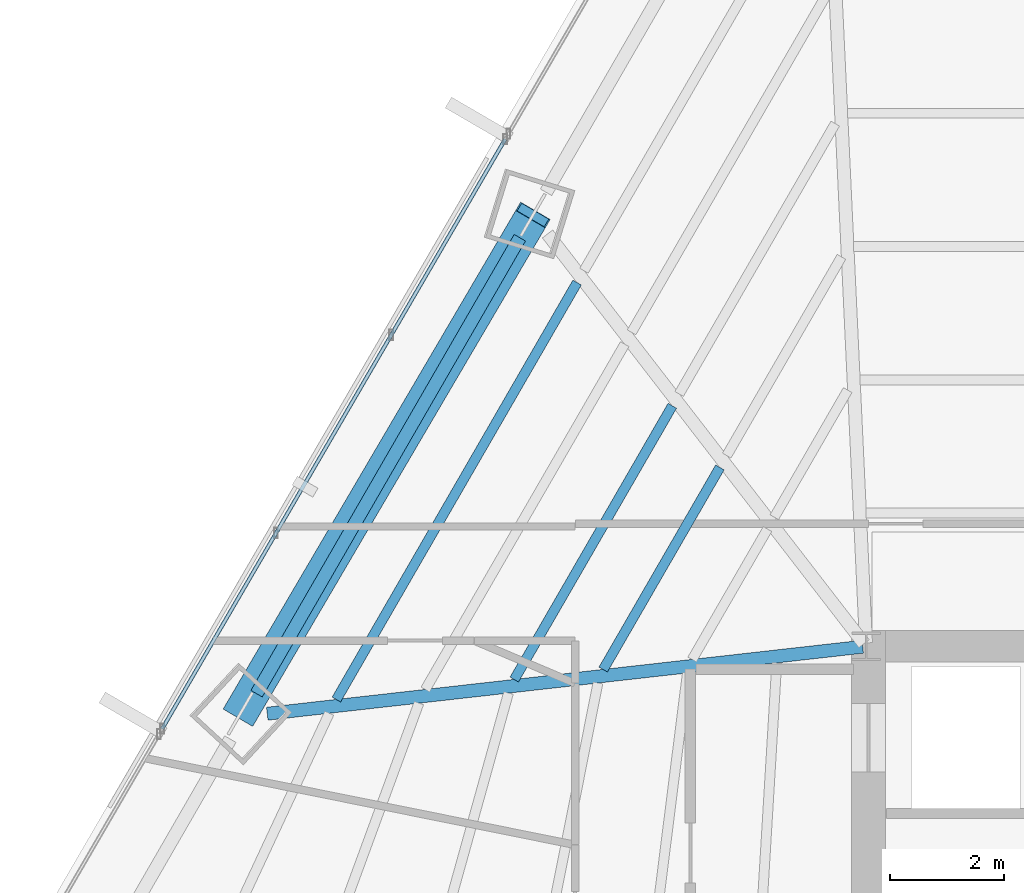
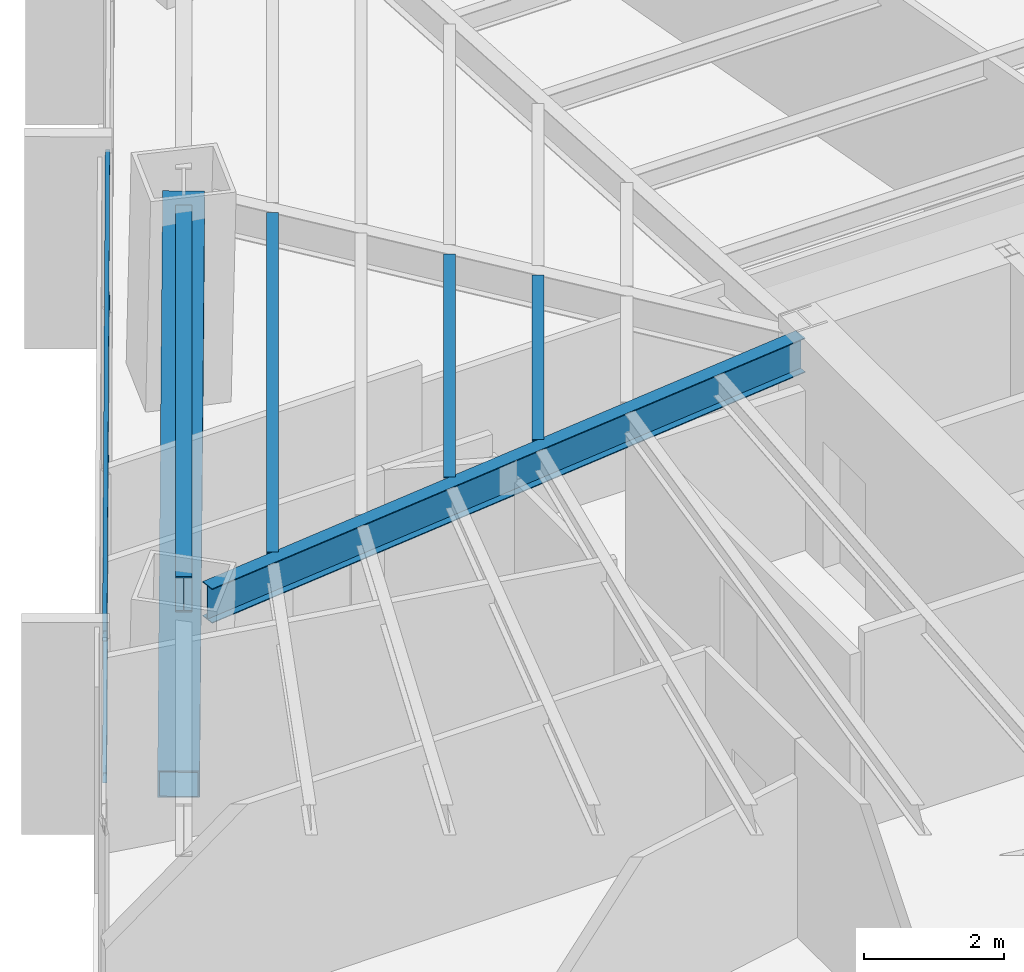
# One storey, part 13 of 38: 5 beams, 3 members, 1 element without a shape of its own.
"""IFC4 building model written with IfcOpenShell, lengths in metres."""

from ifc_helpers import new_model, si_unit, direction, frame, origin, origin_2d, place, context, subcontext, project, spatial, hollow_rectangle, i_section, extrude, source, transform, mapped, material, material_profile, profile_set, type_object, type_shapes, element, aggregate, save


model = new_model("IFC4")

# Units and contexts
model_context = context("Model", 3, precision=1e-05, world=origin(), true_north=direction((0.0, 1.0)))
body_context = subcontext(model_context, "Body", "Model", "MODEL_VIEW")
ifc_project = project(units=[si_unit("LENGTHUNIT", "METRE"), si_unit("AREAUNIT", "SQUARE_METRE"), si_unit("VOLUMEUNIT", "CUBIC_METRE"), si_unit("PLANEANGLEUNIT", "RADIAN"), si_unit("MASSUNIT", "GRAM", prefix="KILO")], contexts=[model_context])

# Site, building, storey
site_placement = place(None, origin())
site = spatial("IfcSite", under=ifc_project, at=site_placement, CompositionType="ELEMENT")
building_placement = place(site_placement, origin())
building = spatial("IfcBuilding", under=site, at=building_placement, Name="Caelisora Broadcast Tower", CompositionType="ELEMENT")
storey_placement = place(building_placement, frame((0.0, 0.0, 67.75)))
storey = spatial("IfcBuildingStorey", under=building, at=storey_placement, Name="L17", CompositionType="ELEMENT", Elevation=67.75)

# Beams
ifc_material_1 = material(Name="Steel Grade 350 (AS/NZS 3679.1)", Category="steel")
ifc_material_profile_1 = material_profile(ifc_material_1, i_section(OverallWidth=0.22900390625, OverallDepth=0.611572265625, WebThickness=0.011962890625, FlangeThickness=0.01953125, at=origin_2d()), Name="Steel Grade 350 (AS/NZS 3679.1)")
ifc_profile_set_1 = profile_set([ifc_material_profile_1], Name="Steel Grade 350 (AS/NZS 3679.1)")
beam_type_1 = type_object("IfcBeamType", Name="PG03", PredefinedType="BEAM", material=ifc_profile_set_1)
shared_shape_1 = source(origin(), body_context, "Body", "SweptSolid", [
    extrude(i_section(OverallWidth=0.22900390625, OverallDepth=0.611572265625, WebThickness=0.011962890625, FlangeThickness=0.01953125, at=origin_2d()), origin(), (0.0, 0.0, 1.0), 9.22802734375),
])
type_shapes(beam_type_1, [shared_shape_1])
beam_1_placement = place(storey_placement, frame((24.4306640625, 37.162109375, 3.09423828125), z_axis=(-0.500000323199, -0.866025217185, 0.0), x_axis=(0.866025217185, -0.500000323199, 0.0)))
element("IfcBeam", 1, at=beam_1_placement, inside=storey, type_object=beam_type_1, Name="L17 beam PG03", PredefinedType="BEAM", context=body_context, shape_type="MappedRepresentation", body=[
    mapped(shared_shape_1, transform((0.0, 0.0, 0.0), scale=1.0)),
])
ifc_material_profile_2 = material_profile(ifc_material_1, i_section(OverallWidth=0.22802734375, OverallDepth=0.602294921875, WebThickness=0.010498046875, FlangeThickness=0.014892578125, at=origin_2d()), Name="Steel Grade 350 (AS/NZS 3679.1)")
ifc_profile_set_2 = profile_set([ifc_material_profile_2], Name="Steel Grade 350 (AS/NZS 3679.1)")
beam_type_2 = type_object("IfcBeamType", Name="PG04", PredefinedType="BEAM", material=ifc_profile_set_2)
shared_shape_2 = source(origin(), body_context, "Body", "SweptSolid", [
    extrude(i_section(OverallWidth=0.22802734375, OverallDepth=0.602294921875, WebThickness=0.010498046875, FlangeThickness=0.014892578125, at=origin_2d()), origin(), (0.0, 0.0, 1.0), 10.50244140625),
])
type_shapes(beam_type_2, [shared_shape_2])
beam_2_placement = place(storey_placement, frame((30.4404296875, 29.993408203125, 3.098876953125), z_axis=(-0.993726537613, -0.111837240864, 0.0), x_axis=(0.111837240864, -0.993726537613, 0.0)))
element("IfcBeam", 2, at=beam_2_placement, inside=storey, type_object=beam_type_2, Name="L17 beam PG04", PredefinedType="BEAM", context=body_context, shape_type="MappedRepresentation", body=[
    mapped(shared_shape_2, transform((0.0, 0.0, 0.0), scale=1.0)),
])
ifc_material_profile_3 = material_profile(ifc_material_1, i_section(OverallWidth=0.172119140625, OverallDepth=0.358642578125, WebThickness=0.008056640625, FlangeThickness=0.012939453125, at=origin_2d()), Name="Steel Grade 350 (AS/NZS 3679.1)")
ifc_profile_set_3 = profile_set([ifc_material_profile_3], Name="Steel Grade 350 (AS/NZS 3679.1)")
beam_type_3 = type_object("IfcBeamType", Name="SB02", PredefinedType="JOIST", material=ifc_profile_set_3)
shared_shape_3 = source(origin(), body_context, "Body", "SweptSolid", [
    extrude(i_section(OverallWidth=0.172119140625, OverallDepth=0.358642578125, WebThickness=0.008056640625, FlangeThickness=0.012939453125, at=origin_2d()), origin(), (0.0, 0.0, 1.0), 4.09033203125),
])
beam_3_placement = place(storey_placement, frame((27.937255859375, 33.135986328125, 3.220703125), z_axis=(-0.500010069898, -0.866019589848, 0.0), x_axis=(0.866019589848, -0.500010069898, 0.0)))
element("IfcBeam", 3, at=beam_3_placement, inside=storey, type_object=beam_type_3, Name="L17 beam SB02", PredefinedType="JOIST", context=body_context, shape_type="MappedRepresentation", body=[
    mapped(shared_shape_3, transform((0.0, 0.0, 0.0), scale=1.0)),
])
shared_shape_4 = source(origin(), body_context, "Body", "SweptSolid", [
    extrude(i_section(OverallWidth=0.172119140625, OverallDepth=0.358642578125, WebThickness=0.008056640625, FlangeThickness=0.012939453125, at=origin_2d()), origin(), (0.0, 0.0, 1.0), 5.540283203125),
])
beam_4_placement = place(storey_placement, frame((27.103271484375, 34.21630859375, 3.220703125), z_axis=(-0.500011076688, -0.866019008561, 0.0), x_axis=(0.866019008561, -0.500011076688, 0.0)))
element("IfcBeam", 4, at=beam_4_placement, inside=storey, type_object=beam_type_3, Name="L17 beam SB02", PredefinedType="JOIST", context=body_context, shape_type="MappedRepresentation", body=[
    mapped(shared_shape_4, transform((0.0, 0.0, 0.0), scale=1.0)),
])
shared_shape_5 = source(origin(), body_context, "Body", "SweptSolid", [
    extrude(i_section(OverallWidth=0.172119140625, OverallDepth=0.358642578125, WebThickness=0.008056640625, FlangeThickness=0.012939453125, at=origin_2d()), origin(), (0.0, 0.0, 1.0), 8.439453125),
])
type_shapes(beam_type_3, [shared_shape_3, shared_shape_4, shared_shape_5])
beam_5_placement = place(storey_placement, frame((25.434814453125, 36.376220703125, 3.220703125), z_axis=(-0.499997070815, -0.866027094943, 0.0), x_axis=(0.866027094943, -0.499997070815, 0.0)))
element("IfcBeam", 5, at=beam_5_placement, inside=storey, type_object=beam_type_3, Name="L17 beam SB02", PredefinedType="JOIST", context=body_context, shape_type="MappedRepresentation", body=[
    mapped(shared_shape_5, transform((0.0, 0.0, 0.0), scale=1.0)),
])

# Member
ifc_material_2 = material(Name="Steel Grade 450 L15 (AS/NZS 3678)", Category="steel")
ifc_material_profile_4 = material_profile(ifc_material_2, hollow_rectangle(XDim=0.60009765625, YDim=0.60009765625, WallThickness=0.02490234375, at=origin_2d()), Name="Steel Grade 450 L15 (AS/NZS 3678)")
ifc_profile_set_4 = profile_set([ifc_material_profile_4], Name="Steel Grade 450 L15 (AS/NZS 3678)")
member_type_1 = type_object("IfcMemberType", Name="BR01", PredefinedType="BRACE", material=ifc_profile_set_4)
shared_shape_6 = source(origin(), body_context, "Body", "SweptSolid", [
    extrude(hollow_rectangle(XDim=0.60009765625, YDim=0.60009765625, WallThickness=0.02490234375, at=origin_2d()), origin(), (0.0, 0.0, 1.0), 10.56689453125),
])
type_shapes(member_type_1, [shared_shape_6])
member_1_placement = place(storey_placement, frame((24.66064453125, 37.560546875, 3.10009765625), z_axis=(-0.485331012489, -0.826952661096, -0.283906859062), x_axis=(0.862440480034, -0.506158491383, 0.0)))
element("IfcMember", 6, at=member_1_placement, inside=storey, type_object=member_type_1, Name="L17 perimeter brace BR01", PredefinedType="BRACE", context=body_context, shape_type="MappedRepresentation", body=[
    mapped(shared_shape_6, transform((0.0, 0.0, 0.0), scale=1.0)),
])

# Curtain wall, members
ifc_material_3 = material(Name="Unitised Aluminium Insulated Shadow-Box Spandrel Curtain Wall", Category="aluminium")
curtain_wall_type = type_object("IfcCurtainWallType", Name="CW-SP1", PredefinedType="NOTDEFINED", material=ifc_material_3)
curtain_wall_placement = place(storey_placement, origin())
curtain_wall = element("IfcCurtainWall", 7, at=curtain_wall_placement, inside=storey, type_object=curtain_wall_type, Name="L17 curtain wall CW-SP1", PredefinedType="NOTDEFINED")
ifc_material_4 = material(Name="Aluminium 6063-T6 Anodised Terracotta Bronze", Category="aluminium")
ifc_material_profile_5 = material_profile(ifc_material_4, hollow_rectangle(XDim=0.06494140625, YDim=0.179931640625, WallThickness=0.00341796875, at=origin_2d()), Name="Aluminium 6063-T6 Anodised Terracotta Bronze")
ifc_profile_set_5 = profile_set([ifc_material_profile_5], Name="Aluminium 6063-T6 Anodised Terracotta Bronze")
member_type_2 = type_object("IfcMemberType", Name="CWT-01", PredefinedType="USERDEFINED", material=ifc_profile_set_5)
shared_shape_7 = source(origin(), body_context, "Body", "SweptSolid", [
    extrude(hollow_rectangle(XDim=0.06494140625, YDim=0.179931640625, WallThickness=0.00341796875, at=origin_2d()), origin(), (0.0, 0.0, 1.0), 11.95556640625),
])
type_shapes(member_type_2, [shared_shape_7])
member_2_placement = place(storey_placement, frame((18.162109375, 28.554931640625, 0.85009765625), z_axis=(0.502899403398, 0.864344948537, 0.0), x_axis=(-0.864344948537, 0.502899403398, 0.0)))
member_2 = element("IfcMember", 8, at=member_2_placement, type_object=member_type_2, Name="L17-CW-B10 transom #1", ObjectType="TRANSOM", PredefinedType="USERDEFINED", context=body_context, shape_type="MappedRepresentation", body=[
    mapped(shared_shape_7, transform((0.0, 0.0, 0.0), scale=1.0)),
])
member_3_placement = place(storey_placement, frame((18.162109375, 28.554931640625, 3.320068359375), z_axis=(0.502899403398, 0.864344948537, 0.0), x_axis=(-0.864344948537, 0.502899403398, 0.0)))
member_3 = element("IfcMember", 9, at=member_3_placement, type_object=member_type_2, Name="L17-CW-B10 transom #2", ObjectType="TRANSOM", PredefinedType="USERDEFINED", context=body_context, shape_type="MappedRepresentation", body=[
    mapped(shared_shape_7, transform((0.0, 0.0, 0.0), scale=1.0)),
])
aggregate(curtain_wall, [member_2, member_3])

save(model, "model.ifc")
